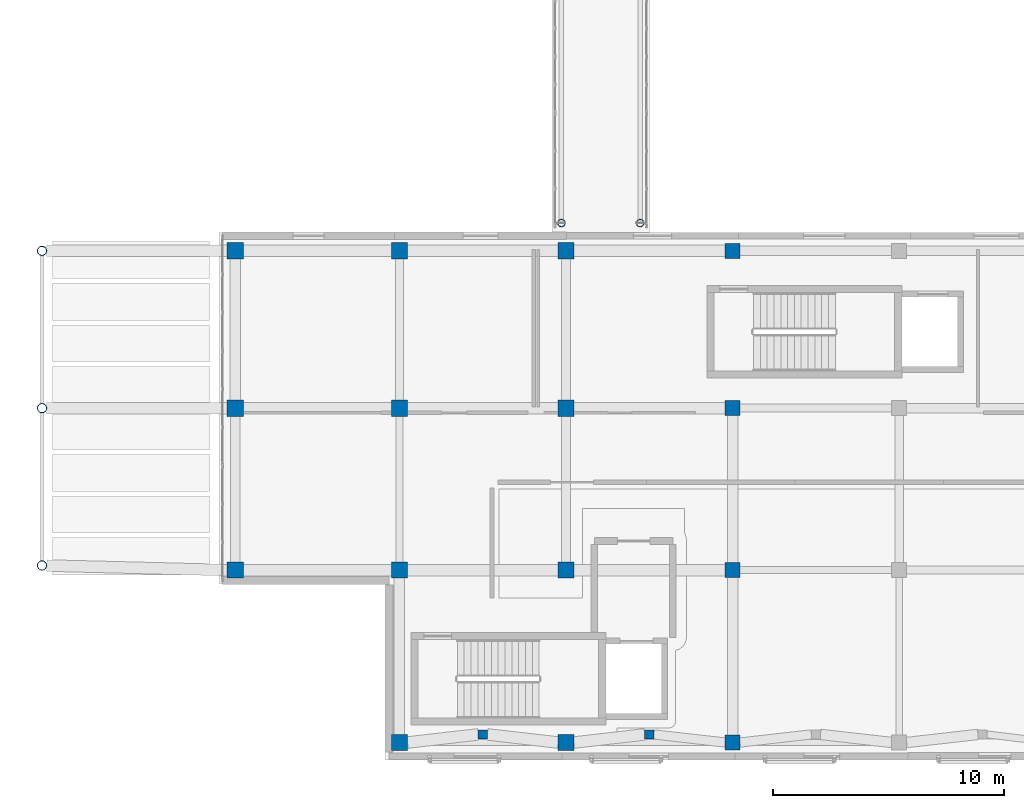
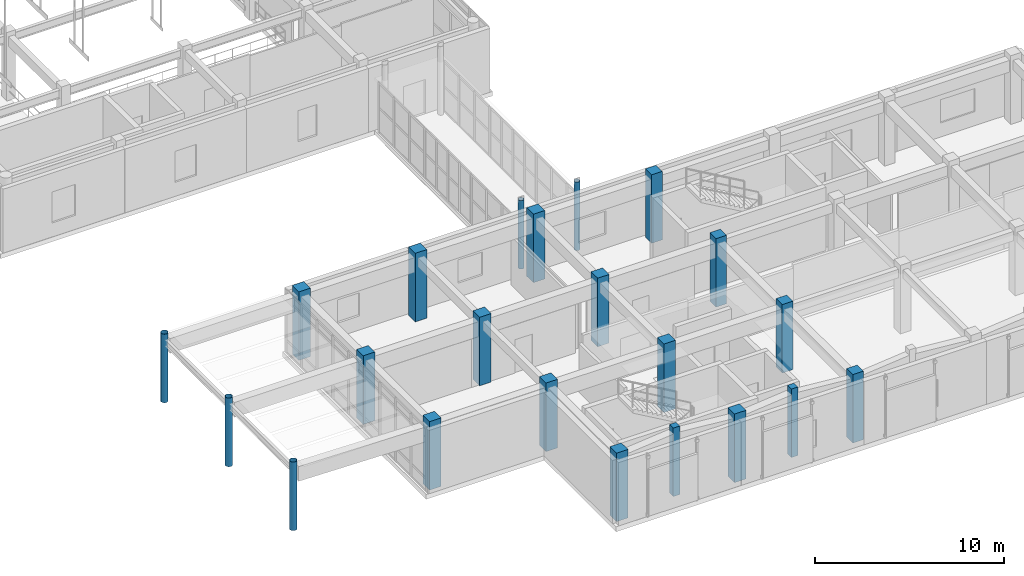
# One storey, part 1 of 142: 22 columns.
"""IFC4 building model written with IfcOpenShell, lengths in metres."""

from ifc_helpers import new_model, si_unit, direction, frame, origin, origin_2d, place, context, subcontext, project, spatial, rectangle, hollow_circle, extrude, material, material_profile, profile_set, type_object, element, save


model = new_model("IFC4")

# Units and contexts
model_context = context("Model", 3, precision=1e-05, world=origin(), true_north=direction((0.0, 1.0)))
body_context = subcontext(model_context, "Body", "Model", "MODEL_VIEW")
ifc_project = project(units=[si_unit("LENGTHUNIT", "METRE"), si_unit("AREAUNIT", "SQUARE_METRE"), si_unit("VOLUMEUNIT", "CUBIC_METRE"), si_unit("PLANEANGLEUNIT", "RADIAN"), si_unit("MASSUNIT", "GRAM", prefix="KILO")], contexts=[model_context])

# Site, building, storey
site_placement = place(None, origin())
site = spatial("IfcSite", under=ifc_project, at=site_placement, CompositionType="ELEMENT")
building_placement = place(site_placement, origin())
building = spatial("IfcBuilding", under=site, at=building_placement, Name="Valcora Specialist Clinic", CompositionType="ELEMENT")
storey_placement = place(building_placement, frame((0.0, 0.0, 5.10009765625)))
storey = spatial("IfcBuildingStorey", under=building, at=storey_placement, Name="L01", CompositionType="ELEMENT", Elevation=5.10009765625)

# Columns
ifc_material_1 = material(Name="Steel ASTM A500 Grade C", Category="steel")
ifc_material_profile_1 = material_profile(ifc_material_1, hollow_circle(Radius=0.162109375, WallThickness=0.011962890625, at=origin_2d()), Name="ST-CHS-324X12")
ifc_profile_set_1 = profile_set([ifc_material_profile_1], Name="Steel ASTM A500 Grade C")
column_type_1 = type_object("IfcColumnType", Name="TY-COL-CHS324", PredefinedType="COLUMN", material=ifc_profile_set_1)
for number, where, z_axis, x_axis, name in (
    (1, (23.199951171875, 23.199951171875, 0.0), (0.0, 0.0, 1.0), (1.0, 0.0, 0.0), "Column COL-L01-0949"),
    (2, (26.60009765625, 23.199951171875, 0.0), (0.0, 0.0, 1.0), (1.0, 0.0, 0.0), "Column COL-L01-0955"),
):
    element("IfcColumn", number, at=place(storey_placement, frame(where, z_axis=z_axis, x_axis=x_axis)), inside=storey, type_object=column_type_1, Name=name, PredefinedType="COLUMN", context=body_context, shape_type="SweptSolid", body=[
        extrude(hollow_circle(Radius=0.162109375, WallThickness=0.011962890625, at=origin_2d()), origin(), (0.0, 0.0, 1.0), 4.419921875),
    ])
ifc_material_profile_2 = material_profile(ifc_material_1, hollow_circle(Radius=0.202880859375, WallThickness=0.01611328125, at=origin_2d()), Name="ST-CHS-406X16")
ifc_profile_set_2 = profile_set([ifc_material_profile_2], Name="Steel ASTM A500 Grade C")
column_type_2 = type_object("IfcColumnType", Name="TY-COL-CHS406", PredefinedType="COLUMN", material=ifc_profile_set_2)
for number, where, z_axis, x_axis, name in (
    (3, (0.75, 8.39990234375, 0.0), (0.0, 0.0, 1.0), (1.0, 0.0, 0.0), "Column COL-L01-0538"),
    (4, (0.75, 15.199951171875, 0.0), (0.0, 0.0, 1.0), (1.0, 0.0, 0.0), "Column COL-L01-0545"),
    (5, (0.75, 22.0, 0.0), (0.0, 0.0, 1.0), (1.0, 0.0, 0.0), "Column COL-L01-0552"),
):
    element("IfcColumn", number, at=place(storey_placement, frame(where, z_axis=z_axis, x_axis=x_axis)), inside=storey, type_object=column_type_2, Name=name, PredefinedType="COLUMN", context=body_context, shape_type="SweptSolid", body=[
        extrude(hollow_circle(Radius=0.202880859375, WallThickness=0.01611328125, at=origin_2d()), origin(), (0.0, 0.0, 1.0), 4.419921875),
    ])
ifc_material_2 = material(Name="Concrete C40/50", Category="concrete")
ifc_material_profile_3 = material_profile(ifc_material_2, rectangle(XDim=0.64990234375, YDim=0.64990234375, at=origin_2d()), Name="RC-COL-650X650")
ifc_profile_set_3 = profile_set([ifc_material_profile_3], Name="Concrete C40/50")
column_type_3 = type_object("IfcColumnType", Name="TY-COL-RC650", PredefinedType="COLUMN", material=ifc_profile_set_3)
for number, where, z_axis, x_axis, name in (
    (6, (30.60009765625, 0.75, 0.0), (0.0, 0.0, 1.0), (1.0, 0.0, 0.0), "Column COL-L01-0636"),
    (7, (30.60009765625, 8.199951171875, 0.0), (0.0, 0.0, 1.0), (1.0, 0.0, 0.0), "Column COL-L01-0643"),
    (8, (30.60009765625, 15.199951171875, 0.0), (0.0, 0.0, 1.0), (1.0, 0.0, 0.0), "Column COL-L01-0650"),
    (9, (30.60009765625, 22.0, 0.0), (0.0, 0.0, 1.0), (1.0, 0.0, 0.0), "Column COL-L01-0657"),
):
    element("IfcColumn", number, at=place(storey_placement, frame(where, z_axis=z_axis, x_axis=x_axis)), inside=storey, type_object=column_type_3, Name=name, PredefinedType="COLUMN", context=body_context, shape_type="SweptSolid", body=[
        extrude(rectangle(XDim=0.64990234375, YDim=0.64990234375, at=origin_2d()), origin(), (0.0, 0.0, 1.0), 4.419921875),
    ])
ifc_material_profile_4 = material_profile(ifc_material_2, rectangle(XDim=0.699951171875, YDim=0.699951171875, at=origin_2d()), Name="RC-COL-700X700")
ifc_profile_set_4 = profile_set([ifc_material_profile_4], Name="Concrete C40/50")
column_type_4 = type_object("IfcColumnType", Name="TY-COL-RC700", PredefinedType="COLUMN", material=ifc_profile_set_4)
for number, where, z_axis, x_axis, name in (
    (10, (9.10009765625, 8.199951171875, 0.0), (0.0, 0.0, 1.0), (1.0, 0.0, 0.0), "Column COL-L01-0559"),
    (11, (9.10009765625, 15.199951171875, 0.0), (0.0, 0.0, 1.0), (1.0, 0.0, 0.0), "Column COL-L01-0566"),
    (12, (9.10009765625, 22.0, 0.0), (0.0, 0.0, 1.0), (1.0, 0.0, 0.0), "Column COL-L01-0573"),
    (13, (16.199951171875, 0.75, 0.0), (0.0, 0.0, 1.0), (1.0, 0.0, 0.0), "Column COL-L01-0580"),
    (14, (16.199951171875, 8.199951171875, 0.0), (0.0, 0.0, 1.0), (1.0, 0.0, 0.0), "Column COL-L01-0587"),
    (15, (16.199951171875, 15.199951171875, 0.0), (0.0, 0.0, 1.0), (1.0, 0.0, 0.0), "Column COL-L01-0594"),
    (16, (16.199951171875, 22.0, 0.0), (0.0, 0.0, 1.0), (1.0, 0.0, 0.0), "Column COL-L01-0601"),
    (17, (23.39990234375, 0.75, 0.0), (0.0, 0.0, 1.0), (1.0, 0.0, 0.0), "Column COL-L01-0608"),
    (18, (23.39990234375, 8.199951171875, 0.0), (0.0, 0.0, 1.0), (1.0, 0.0, 0.0), "Column COL-L01-0615"),
    (19, (23.39990234375, 15.199951171875, 0.0), (0.0, 0.0, 1.0), (1.0, 0.0, 0.0), "Column COL-L01-0622"),
    (20, (23.39990234375, 22.0, 0.0), (0.0, 0.0, 1.0), (1.0, 0.0, 0.0), "Column COL-L01-0629"),
):
    element("IfcColumn", number, at=place(storey_placement, frame(where, z_axis=z_axis, x_axis=x_axis)), inside=storey, type_object=column_type_4, Name=name, PredefinedType="COLUMN", context=body_context, shape_type="SweptSolid", body=[
        extrude(rectangle(XDim=0.699951171875, YDim=0.699951171875, at=origin_2d()), origin(), (0.0, 0.0, 1.0), 4.419921875),
    ])
ifc_material_profile_5 = material_profile(ifc_material_2, rectangle(XDim=0.39990234375, YDim=0.39990234375, at=origin_2d()), Name="RC-COL-400X400")
ifc_profile_set_5 = profile_set([ifc_material_profile_5], Name="Concrete C40/50")
column_type_5 = type_object("IfcColumnType", Name="TY-PIL-RC400", PredefinedType="PILASTER", material=ifc_profile_set_5)
for number, where, z_axis, x_axis, name in (
    (21, (19.800048828125, 1.10009765625, 0.0), (0.0, 0.0, 1.0), (1.0, 0.0, 0.0), "Column COL-L01-1040"),
    (22, (27.0, 1.10009765625, 0.0), (0.0, 0.0, 1.0), (1.0, 0.0, 0.0), "Column COL-L01-1044"),
):
    element("IfcColumn", number, at=place(storey_placement, frame(where, z_axis=z_axis, x_axis=x_axis)), inside=storey, type_object=column_type_5, Name=name, PredefinedType="PILASTER", context=body_context, shape_type="SweptSolid", body=[
        extrude(rectangle(XDim=0.39990234375, YDim=0.39990234375, at=origin_2d()), origin(), (0.0, 0.0, 1.0), 4.419921875),
    ])

save(model, "model.ifc")
